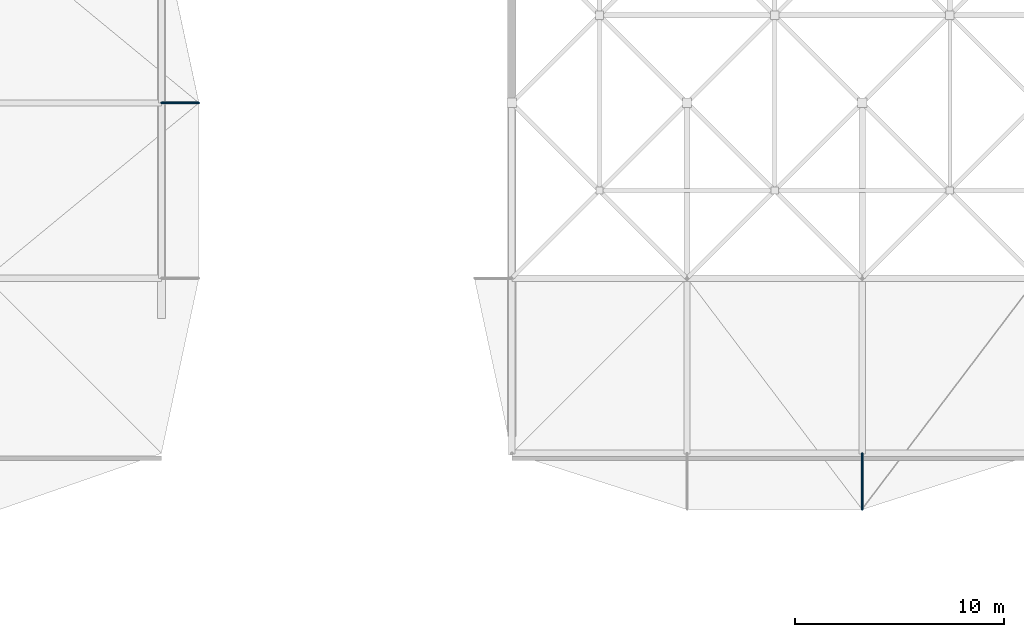
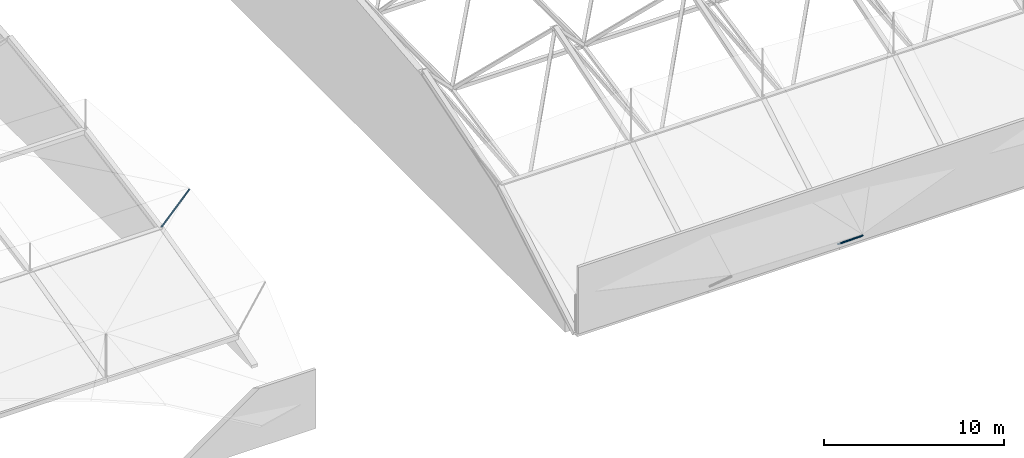
# One storey, part 42 of 111: 2 discrete accessories.
"""IFC4 building model written with IfcOpenShell, lengths in metres."""

from ifc_helpers import new_model, si_unit, direction, frame, origin, origin_2d, place, context, subcontext, project, spatial, hollow_circle, extrude, material, material_profile, profile_set, type_object, element, save


model = new_model("IFC4")

# Units and contexts
model_context = context("Model", 3, precision=1e-05, world=origin(), true_north=direction((0.0, 1.0)))
body_context = subcontext(model_context, "Body", "Model", "MODEL_VIEW")
ifc_project = project(units=[si_unit("LENGTHUNIT", "METRE"), si_unit("AREAUNIT", "SQUARE_METRE"), si_unit("VOLUMEUNIT", "CUBIC_METRE"), si_unit("PLANEANGLEUNIT", "RADIAN"), si_unit("MASSUNIT", "GRAM", prefix="KILO")], contexts=[model_context])

# Site, building, storey
site_placement = place(None, origin())
site = spatial("IfcSite", under=ifc_project, at=site_placement, CompositionType="ELEMENT")
building_placement = place(site_placement, origin())
building = spatial("IfcBuilding", under=site, at=building_placement, Name="Rain Tree Exposition and Congress Centre", CompositionType="ELEMENT")
storey_placement = place(building_placement, frame((0.0, 0.0, 19.5)))
storey = spatial("IfcBuildingStorey", under=building, at=storey_placement, Name="RF", CompositionType="ELEMENT", Elevation=19.5)

# Discrete accessories
ifc_material = material(Name="Steel S355J2H", Category="steel")
ifc_material_profile = material_profile(ifc_material, hollow_circle(Radius=0.05712890625, WallThickness=0.00439453125, at=origin_2d()), Name="CHS 114x4.5")
ifc_profile_set = profile_set([ifc_material_profile], Name="Steel S355J2H")
discrete_accessory_type = type_object("IfcDiscreteAccessoryType", Name="Roof skin post CHS 114x4.5", PredefinedType="BRACKET", material=ifc_profile_set)
discrete_accessory_1_placement = place(storey_placement, frame((126.0, 117.60009765625, 3.22412109375), z_axis=(0.678849688613, 0.0, 0.734277263893), x_axis=(0.0, 1.0, 0.0)))
element("IfcDiscreteAccessory", 1, at=discrete_accessory_1_placement, inside=storey, type_object=discrete_accessory_type, Name="Roof skin post A45", PredefinedType="BRACKET", context=body_context, shape_type="SweptSolid", body=[
    extrude(hollow_circle(Radius=0.05712890625, WallThickness=0.00439453125, at=origin_2d()), origin(), (0.0, 0.0, 1.0), 2.651611328125),
])
discrete_accessory_2_placement = place(storey_placement, frame((159.60009765625, 100.800048828125, 0.5), z_axis=(0.0, -0.772800918932, 0.63464851666), x_axis=(1.0, 0.0, 0.0)))
element("IfcDiscreteAccessory", 2, at=discrete_accessory_2_placement, inside=storey, type_object=discrete_accessory_type, Name="Roof skin post B3", PredefinedType="BRACKET", context=body_context, shape_type="SweptSolid", body=[
    extrude(hollow_circle(Radius=0.05712890625, WallThickness=0.00439453125, at=origin_2d()), origin(), (0.0, 0.0, 1.0), 3.49365234375),
])

save(model, "model.ifc")
